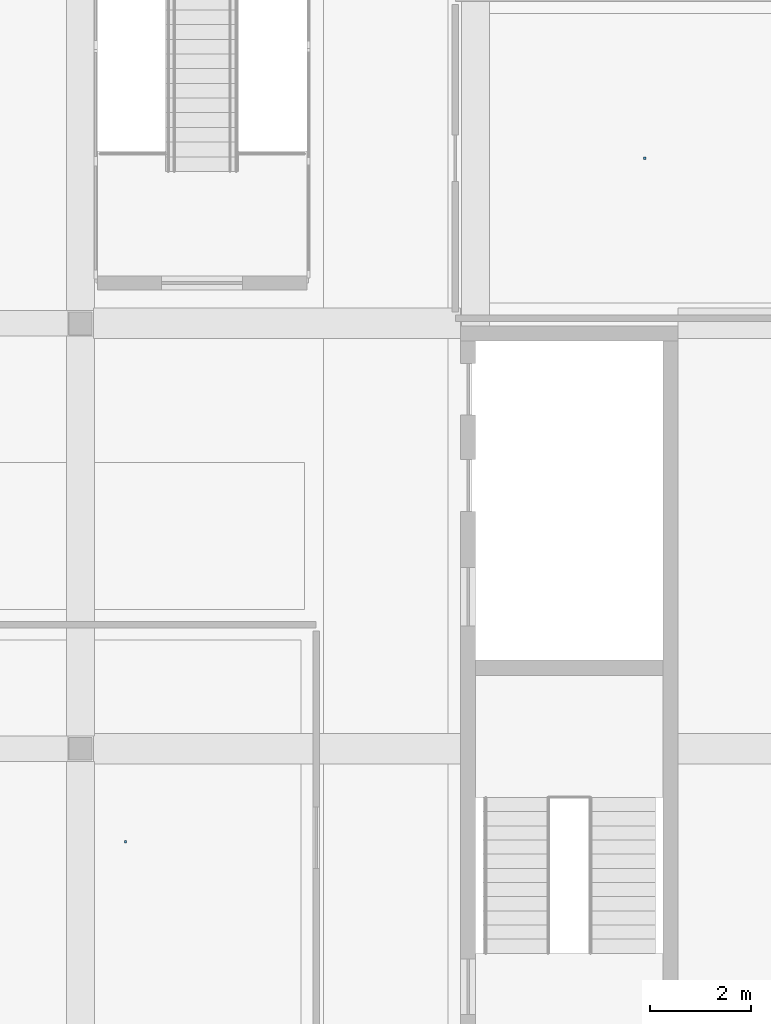
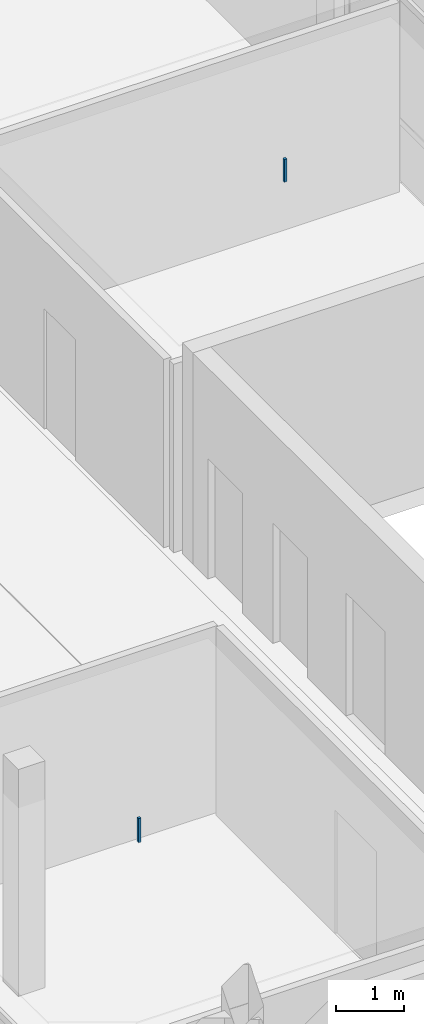
# One storey, part 73 of 86: 2 discrete accessories.
"""IFC4 building model written with IfcOpenShell, lengths in metres."""

from ifc_helpers import new_model, si_unit, derived_unit, direction, frame, origin, origin_2d, place, context, subcontext, project, spatial, rectangle, extrude, material, type_object, element, save


model = new_model("IFC4")

# Units and contexts
model_context = context("Model", 3, precision=1e-05, world=origin(), true_north=direction((0.0, 1.0)))
body_context = subcontext(model_context, "Body", "Model", "MODEL_VIEW")
ifc_project = project(units=[si_unit("LENGTHUNIT", "METRE"), si_unit("AREAUNIT", "SQUARE_METRE"), si_unit("VOLUMEUNIT", "CUBIC_METRE"), si_unit("PLANEANGLEUNIT", "RADIAN"), si_unit("MASSUNIT", "GRAM", prefix="KILO"), derived_unit("THERMALTRANSMITTANCEUNIT", [(si_unit("POWERUNIT", "WATT"), 1), (si_unit("LENGTHUNIT", "METRE"), -2), (si_unit("THERMODYNAMICTEMPERATUREUNIT", "KELVIN"), -1)])], contexts=[model_context])

# Site, building, storey
site_placement = place(None, origin())
site = spatial("IfcSite", under=ifc_project, at=site_placement, CompositionType="ELEMENT")
building_placement = place(site_placement, origin())
building = spatial("IfcBuilding", under=site, at=building_placement, Name="Braskholm Square Health Centre", CompositionType="ELEMENT")
storey_placement = place(building_placement, frame((0.0, 0.0, 13.5)))
storey = spatial("IfcBuildingStorey", under=building, at=storey_placement, Name="L04", CompositionType="ELEMENT", Elevation=13.5)

# Discrete accessories
ifc_material = material(Name="Steel ASTM A500 Grade C", Category="steel")
discrete_accessory_type = type_object("IfcDiscreteAccessoryType", Name="CeilingSuspensionBracket", PredefinedType="BRACKET", material=ifc_material)
discrete_accessory_1_placement = place(storey_placement, frame((159.93994140625, 67.06005859375, 3.3720703125), z_axis=(0.0, 0.0, 1.0), x_axis=(1.0, 0.0, 0.0)))
element("IfcDiscreteAccessory", 1, at=discrete_accessory_1_placement, inside=storey, type_object=discrete_accessory_type, Name="Ceiling hanger bracket 0176", PredefinedType="BRACKET", context=body_context, shape_type="SweptSolid", body=[
    extrude(rectangle(XDim=0.044921875, YDim=0.044921875, at=origin_2d()), origin(), (0.0, 0.0, 1.0), 0.409912109375),
])
discrete_accessory_2_placement = place(storey_placement, frame((149.68505859375, 53.56494140625, 3.35205078125), z_axis=(0.0, 0.0, 1.0), x_axis=(1.0, 0.0, 0.0)))
element("IfcDiscreteAccessory", 2, at=discrete_accessory_2_placement, inside=storey, type_object=discrete_accessory_type, Name="Ceiling hanger bracket 0185", PredefinedType="BRACKET", context=body_context, shape_type="SweptSolid", body=[
    extrude(rectangle(XDim=0.044921875, YDim=0.044921875, at=origin_2d()), origin(), (0.0, 0.0, 1.0), 0.429931640625),
])

save(model, "model.ifc")
